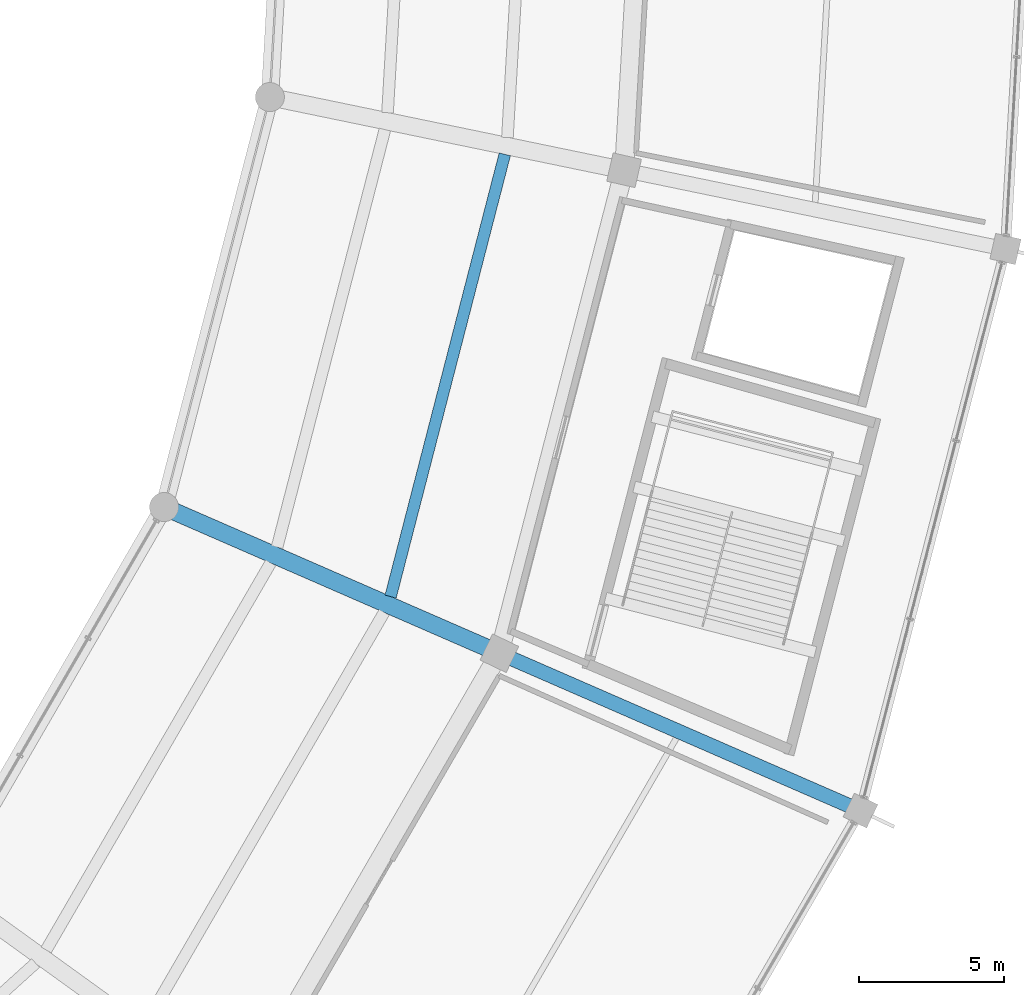
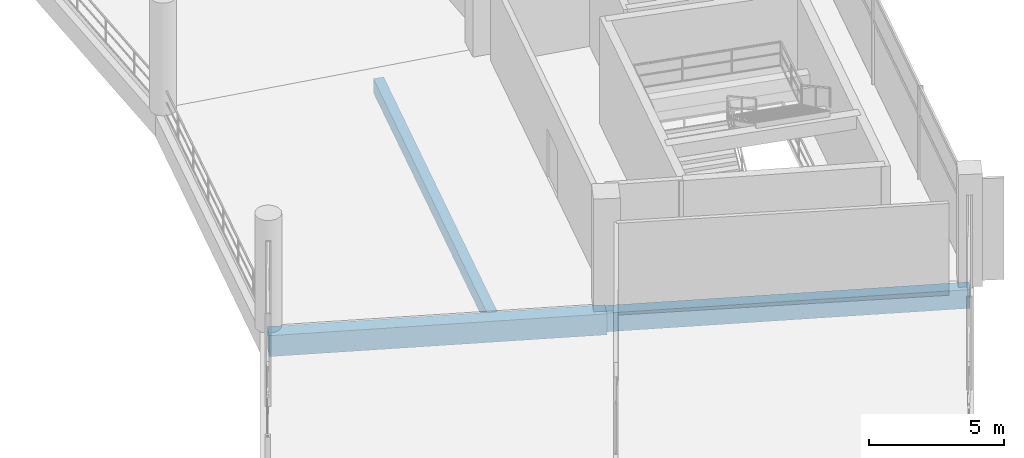
# One storey, part 75 of 184: 3 beams.
"""IFC4 building model written with IfcOpenShell, lengths in metres."""

from ifc_helpers import new_model, si_unit, direction, frame, origin, origin_2d, place, context, subcontext, project, spatial, rectangle, extrude, material, material_profile, profile_set, type_object, element, save


model = new_model("IFC4")

# Units and contexts
model_context = context("Model", 3, precision=1e-05, world=origin(), true_north=direction((0.0, 1.0)))
body_context = subcontext(model_context, "Body", "Model", "MODEL_VIEW")
ifc_project = project(units=[si_unit("LENGTHUNIT", "METRE"), si_unit("AREAUNIT", "SQUARE_METRE"), si_unit("VOLUMEUNIT", "CUBIC_METRE"), si_unit("PLANEANGLEUNIT", "RADIAN"), si_unit("MASSUNIT", "GRAM", prefix="KILO")], contexts=[model_context])

# Site, building, storey
site_placement = place(None, origin())
site = spatial("IfcSite", under=ifc_project, at=site_placement, CompositionType="ELEMENT")
building_placement = place(site_placement, origin())
building = spatial("IfcBuilding", under=site, at=building_placement, Name="Kazemori Nagisa Stadium", CompositionType="ELEMENT")
storey_placement = place(building_placement, frame((0.0, 0.0, 10.5400390625)))
storey = spatial("IfcBuildingStorey", under=building, at=storey_placement, Name="L02", CompositionType="ELEMENT", Elevation=10.5400390625)

# Beams
ifc_material = material(Name="Concrete C40/50 (Fc42)", Category="concrete")
ifc_material_profile_1 = material_profile(ifc_material, rectangle(XDim=0.5, YDim=0.85009765625, at=origin_2d()), Name="RC-BM-500x850")
ifc_profile_set_1 = profile_set([ifc_material_profile_1], Name="Concrete C40/50 (Fc42)")
beam_type_1 = type_object("IfcBeamType", Name="Beam_BG-RC500X850", PredefinedType="BEAM", material=ifc_profile_set_1)
beam_1_placement = place(storey_placement, frame((199.44091796875, 68.67529296875, -0.68505859375), z_axis=(0.916683633521, -0.399613708517, 0.0), x_axis=(0.399613708517, 0.916683633521, 0.0)))
element("IfcBeam", 1, at=beam_1_placement, inside=storey, type_object=beam_type_1, Name="Radial girder BG-RC500X850 L02 R2-R3-27", PredefinedType="BEAM", context=body_context, shape_type="SweptSolid", body=[
    extrude(rectangle(XDim=0.5, YDim=0.85009765625, at=origin_2d()), origin(), (0.0, 0.0, 1.0), 13.5751953125),
])
ifc_material_profile_2 = material_profile(ifc_material, rectangle(XDim=0.60009765625, YDim=0.949951171875, at=origin_2d()), Name="RC-BM-600x950")
ifc_profile_set_2 = profile_set([ifc_material_profile_2], Name="Concrete C40/50 (Fc42)")
beam_type_2 = type_object("IfcBeamType", Name="Beam_BG-RC600X950", PredefinedType="BEAM", material=ifc_profile_set_2)
beam_2_placement = place(storey_placement, frame((187.885986328125, 73.712890625, -0.735107421875), z_axis=(0.916671768981, -0.399640923771, 0.0), x_axis=(0.399640923771, 0.916671768981, 0.0)))
element("IfcBeam", 2, at=beam_2_placement, inside=storey, type_object=beam_type_2, Name="Radial girder BG-RC600X950 L02 R1-R2-27", PredefinedType="BEAM", context=body_context, shape_type="SweptSolid", body=[
    extrude(rectangle(XDim=0.60009765625, YDim=0.949951171875, at=origin_2d()), origin(), (0.0, 0.0, 1.0), 12.605224609375),
])
ifc_material_profile_3 = material_profile(ifc_material, rectangle(XDim=0.39990234375, YDim=0.64990234375, at=origin_2d()), Name="RC-BM-400x650")
ifc_profile_set_3 = profile_set([ifc_material_profile_3], Name="Concrete C40/50 (Fc42)")
beam_type_3 = type_object("IfcBeamType", Name="Beam_BJ-RC400X650", PredefinedType="JOIST", material=ifc_profile_set_3)
beam_3_placement = place(storey_placement, frame((195.692626953125, 70.627197265625, -0.5849609375), z_axis=(0.24997419154, 0.968252499901, 0.0), x_axis=(-0.968252499901, 0.24997419154, 0.0)))
element("IfcBeam", 3, at=beam_3_placement, inside=storey, type_object=beam_type_3, Name="Concourse joist BJ-RC400X650 L02 B27-2", PredefinedType="JOIST", context=body_context, shape_type="SweptSolid", body=[
    extrude(rectangle(XDim=0.39990234375, YDim=0.64990234375, at=origin_2d()), origin(), (0.0, 0.0, 1.0), 15.739013671875),
])

save(model, "model.ifc")
